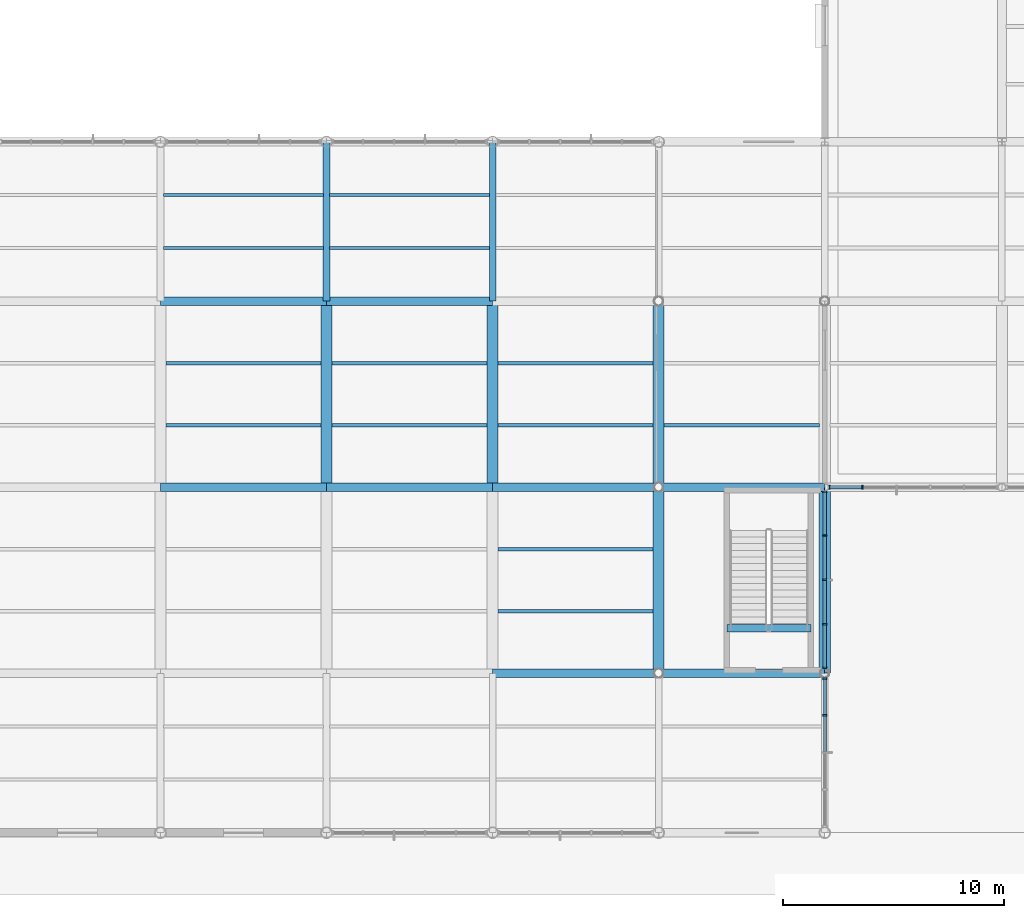
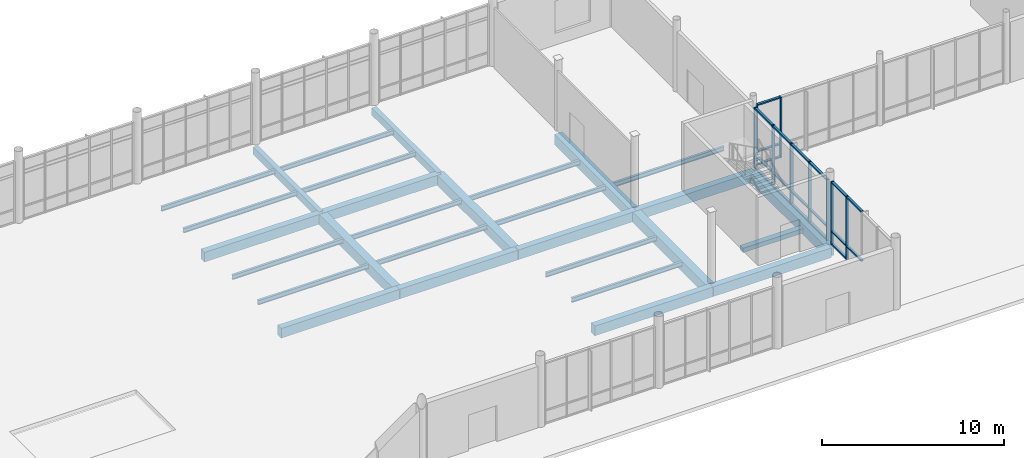
# One storey, part 18 of 82: 29 beams, 29 members, 3 elements without a shape of their own.
"""IFC4 building model written with IfcOpenShell, lengths in metres."""

from ifc_helpers import new_model, si_unit, direction, frame, origin, origin_2d, place, context, subcontext, project, spatial, rectangle, i_section, extrude, material, layer, layer_set, material_profile, profile_set, type_object, element, aggregate, save


model = new_model("IFC4")

# Units and contexts
model_context = context("Model", 3, precision=1e-05, world=origin(), true_north=direction((0.0, 1.0)))
body_context = subcontext(model_context, "Body", "Model", "MODEL_VIEW")
ifc_project = project(units=[si_unit("LENGTHUNIT", "METRE"), si_unit("AREAUNIT", "SQUARE_METRE"), si_unit("VOLUMEUNIT", "CUBIC_METRE"), si_unit("PLANEANGLEUNIT", "RADIAN"), si_unit("MASSUNIT", "GRAM", prefix="KILO")], contexts=[model_context])

# Site, building, storey
site_placement = place(None, origin())
site = spatial("IfcSite", under=ifc_project, at=site_placement, CompositionType="ELEMENT")
building_placement = place(site_placement, origin())
building = spatial("IfcBuilding", under=site, at=building_placement, Name="Yukiwa Park Conservatory and Herbarium", CompositionType="ELEMENT")
storey_placement = place(building_placement, origin())
storey = spatial("IfcBuildingStorey", under=building, at=storey_placement, Name="L00", CompositionType="ELEMENT", Elevation=0.0)

# Beams
ifc_material_1 = material(Name="Steel Q355D", Category="steel")
ifc_material_profile_1 = material_profile(ifc_material_1, i_section(OverallWidth=0.14892578125, OverallDepth=0.298095703125, WebThickness=0.005615234375, FlangeThickness=0.008056640625, FilletRadius=0.012939453125, at=origin_2d()), Name="HN 298x149x5.5x8")
ifc_profile_set_1 = profile_set([ifc_material_profile_1], Name="Steel Q355D")
beam_type_1 = type_object("IfcBeamType", Name="BM-JST-HN298", PredefinedType="JOIST", material=ifc_profile_set_1)
for number, where, z_axis, x_axis, name in (
    (1, (30.24609375, 18.39990234375, -0.408935546875), (1.0, 0.0, 0.0), (0.0, 1.0, 0.0), "L00 composite floor joist 41"),
    (2, (30.24609375, 21.199951171875, -0.408935546875), (1.0, 0.0, 0.0), (0.0, 1.0, 0.0), "L00 composite floor joist 42"),
):
    element("IfcBeam", number, at=place(storey_placement, frame(where, z_axis=z_axis, x_axis=x_axis)), inside=storey, type_object=beam_type_1, Name=name, PredefinedType="JOIST", context=body_context, shape_type="SweptSolid", body=[
        extrude(i_section(OverallWidth=0.14892578125, OverallDepth=0.298095703125, WebThickness=0.005615234375, FlangeThickness=0.008056640625, FilletRadius=0.012939453125, at=origin_2d()), origin(), (0.0, 0.0, 1.0), 7.0078125),
    ])
for number, where, z_axis, x_axis, name in (
    (3, (30.14599609375, 26.39990234375, -0.408935546875), (1.0, 0.0, 0.0), (0.0, 1.0, 0.0), "L00 composite floor joist 43"),
    (4, (30.14599609375, 28.800048828125, -0.408935546875), (1.0, 0.0, 0.0), (0.0, 1.0, 0.0), "L00 composite floor joist 44"),
):
    element("IfcBeam", number, at=place(storey_placement, frame(where, z_axis=z_axis, x_axis=x_axis)), inside=storey, type_object=beam_type_1, Name=name, PredefinedType="JOIST", context=body_context, shape_type="SweptSolid", body=[
        extrude(i_section(OverallWidth=0.14892578125, OverallDepth=0.298095703125, WebThickness=0.005615234375, FlangeThickness=0.008056640625, FilletRadius=0.012939453125, at=origin_2d()), origin(), (0.0, 0.0, 1.0), 7.2080078125),
    ])
for number, where, z_axis, x_axis, name in (
    (5, (37.74609375, 18.39990234375, -0.408935546875), (1.0, 0.0, 0.0), (0.0, 1.0, 0.0), "L00 composite floor joist 55"),
    (6, (37.74609375, 21.199951171875, -0.408935546875), (1.0, 0.0, 0.0), (0.0, 1.0, 0.0), "L00 composite floor joist 56"),
):
    element("IfcBeam", number, at=place(storey_placement, frame(where, z_axis=z_axis, x_axis=x_axis)), inside=storey, type_object=beam_type_1, Name=name, PredefinedType="JOIST", context=body_context, shape_type="SweptSolid", body=[
        extrude(i_section(OverallWidth=0.14892578125, OverallDepth=0.298095703125, WebThickness=0.005615234375, FlangeThickness=0.008056640625, FilletRadius=0.012939453125, at=origin_2d()), origin(), (0.0, 0.0, 1.0), 7.0078125),
    ])
for number, where, z_axis, x_axis, name in (
    (7, (37.64599609375, 26.39990234375, -0.408935546875), (1.0, 0.0, 0.0), (0.0, 1.0, 0.0), "L00 composite floor joist 57"),
    (8, (37.64599609375, 28.800048828125, -0.408935546875), (1.0, 0.0, 0.0), (0.0, 1.0, 0.0), "L00 composite floor joist 58"),
):
    element("IfcBeam", number, at=place(storey_placement, frame(where, z_axis=z_axis, x_axis=x_axis)), inside=storey, type_object=beam_type_1, Name=name, PredefinedType="JOIST", context=body_context, shape_type="SweptSolid", body=[
        extrude(i_section(OverallWidth=0.14892578125, OverallDepth=0.298095703125, WebThickness=0.005615234375, FlangeThickness=0.008056640625, FilletRadius=0.012939453125, at=origin_2d()), origin(), (0.0, 0.0, 1.0), 7.2080078125),
    ])
for number, where, z_axis, x_axis, name in (
    (9, (45.24609375, 10.0, -0.408935546875), (1.0, 0.0, 0.0), (0.0, 1.0, 0.0), "L00 composite floor joist 67"),
    (10, (45.24609375, 12.800048828125, -0.408935546875), (1.0, 0.0, 0.0), (0.0, 1.0, 0.0), "L00 composite floor joist 68"),
    (11, (45.24609375, 18.39990234375, -0.408935546875), (1.0, 0.0, 0.0), (0.0, 1.0, 0.0), "L00 composite floor joist 69"),
    (12, (45.24609375, 21.199951171875, -0.408935546875), (1.0, 0.0, 0.0), (0.0, 1.0, 0.0), "L00 composite floor joist 70"),
    (13, (52.74609375, 18.39990234375, -0.408935546875), (1.0, 0.0, 0.0), (0.0, 1.0, 0.0), "L00 composite floor joist 81"),
):
    element("IfcBeam", number, at=place(storey_placement, frame(where, z_axis=z_axis, x_axis=x_axis)), inside=storey, type_object=beam_type_1, Name=name, PredefinedType="JOIST", context=body_context, shape_type="SweptSolid", body=[
        extrude(i_section(OverallWidth=0.14892578125, OverallDepth=0.298095703125, WebThickness=0.005615234375, FlangeThickness=0.008056640625, FilletRadius=0.012939453125, at=origin_2d()), origin(), (0.0, 0.0, 1.0), 7.0078125),
    ])
ifc_material_2 = material(Name="Concrete C40", Category="concrete")
ifc_material_profile_2 = material_profile(ifc_material_2, rectangle(XDim=0.300048828125, YDim=0.5, at=origin_2d()), Name="RC 300x500")
ifc_profile_set_2 = profile_set([ifc_material_profile_2], Name="Concrete C40")
beam_type_2 = type_object("IfcBeamType", Name="BM-RC-300X500", PredefinedType="BEAM", material=ifc_profile_set_2)
for number, where, z_axis, x_axis, name in (
    (14, (37.5, 24.006103515625, -0.510009765625), (0.0, 1.0, 0.0), (-1.0, 0.0, 0.0), "L00 grid girder Y-188"),
    (15, (45.0, 24.006103515625, -0.510009765625), (0.0, 1.0, 0.0), (-1.0, 0.0, 0.0), "L00 grid girder Y-196"),
):
    element("IfcBeam", number, at=place(storey_placement, frame(where, z_axis=z_axis, x_axis=x_axis)), inside=storey, type_object=beam_type_2, Name=name, PredefinedType="BEAM", context=body_context, shape_type="SweptSolid", body=[
        extrude(rectangle(XDim=0.300048828125, YDim=0.5, at=origin_2d()), origin(), (0.0, 0.0, 1.0), 7.18798828125),
    ])
ifc_material_3 = material(Name="Concrete C40", Category="concrete")
ifc_material_profile_3 = material_profile(ifc_material_3, rectangle(XDim=0.39990234375, YDim=0.64990234375, at=origin_2d()), Name="RC 400x650")
ifc_profile_set_3 = profile_set([ifc_material_profile_3], Name="Concrete C40")
beam_type_3 = type_object("IfcBeamType", Name="BM-RC-400X650", PredefinedType="BEAM", material=ifc_profile_set_3)
for number, where, z_axis, x_axis, name in (
    (16, (45.006103515625, 7.199951171875, -0.5849609375), (1.0, 0.0, 0.0), (0.0, 1.0, 0.0), "L00 grid beam X-15"),
    (17, (52.506103515625, 7.199951171875, -0.5849609375), (1.0, 0.0, 0.0), (0.0, 1.0, 0.0), "L00 grid beam X-16"),
    (18, (30.006103515625, 15.60009765625, -0.5849609375), (1.0, 0.0, 0.0), (0.0, 1.0, 0.0), "L00 grid beam X-21"),
    (19, (37.506103515625, 15.60009765625, -0.5849609375), (1.0, 0.0, 0.0), (0.0, 1.0, 0.0), "L00 grid beam X-22"),
    (20, (45.006103515625, 15.60009765625, -0.5849609375), (1.0, 0.0, 0.0), (0.0, 1.0, 0.0), "L00 grid beam X-23"),
    (21, (52.506103515625, 15.60009765625, -0.5849609375), (1.0, 0.0, 0.0), (0.0, 1.0, 0.0), "L00 grid beam X-24"),
    (22, (30.006103515625, 24.0, -0.5849609375), (1.0, 0.0, 0.0), (0.0, 1.0, 0.0), "L00 grid beam X-35"),
    (23, (37.506103515625, 24.0, -0.5849609375), (1.0, 0.0, 0.0), (0.0, 1.0, 0.0), "L00 grid beam X-36"),
):
    element("IfcBeam", number, at=place(storey_placement, frame(where, z_axis=z_axis, x_axis=x_axis)), inside=storey, type_object=beam_type_3, Name=name, PredefinedType="BEAM", context=body_context, shape_type="SweptSolid", body=[
        extrude(rectangle(XDim=0.39990234375, YDim=0.64990234375, at=origin_2d()), origin(), (0.0, 0.0, 1.0), 7.48779296875),
    ])
ifc_material_4 = material(Name="Concrete C40", Category="concrete")
ifc_material_profile_4 = material_profile(ifc_material_4, rectangle(XDim=0.5, YDim=0.699951171875, at=origin_2d()), Name="RC 500x700")
ifc_profile_set_4 = profile_set([ifc_material_profile_4], Name="Concrete C40")
beam_type_4 = type_object("IfcBeamType", Name="BM-RC-500X700", PredefinedType="BEAM", material=ifc_profile_set_4)
for number, where, z_axis, x_axis, name in (
    (24, (37.5, 15.60595703125, -0.610107421875), (0.0, 1.0, 0.0), (-1.0, 0.0, 0.0), "L00 grid girder Y-187"),
    (25, (45.0, 15.60595703125, -0.610107421875), (0.0, 1.0, 0.0), (-1.0, 0.0, 0.0), "L00 grid girder Y-195"),
    (26, (52.5, 7.2060546875, -0.610107421875), (0.0, 1.0, 0.0), (-1.0, 0.0, 0.0), "L00 grid girder Y-202"),
    (27, (52.5, 15.60595703125, -0.610107421875), (0.0, 1.0, 0.0), (-1.0, 0.0, 0.0), "L00 grid girder Y-203"),
    (28, (60.0, 7.2060546875, -0.610107421875), (0.0, 1.0, 0.0), (-1.0, 0.0, 0.0), "L00 grid girder Y-210"),
):
    element("IfcBeam", number, at=place(storey_placement, frame(where, z_axis=z_axis, x_axis=x_axis)), inside=storey, type_object=beam_type_4, Name=name, PredefinedType="BEAM", context=body_context, shape_type="SweptSolid", body=[
        extrude(rectangle(XDim=0.5, YDim=0.699951171875, at=origin_2d()), origin(), (0.0, 0.0, 1.0), 8.387939453125),
    ])
ifc_material_5 = material(Name="Concrete C40", Category="concrete")
ifc_material_profile_5 = material_profile(ifc_material_5, rectangle(XDim=0.35009765625, YDim=0.300048828125, at=origin_2d()), Name="RC 350x300")
ifc_profile_set_5 = profile_set([ifc_material_profile_5], Name="Concrete C40")
beam_type_5 = type_object("IfcBeamType", Name="BM-STAIR-TRIM", PredefinedType="BEAM", material=ifc_profile_set_5)
beam_placement = place(storey_placement, frame((55.580078125, 9.22998046875, -0.14990234375), z_axis=(1.0, 0.0, 0.0), x_axis=(0.0, 1.0, 0.0)))
element("IfcBeam", 29, at=beam_placement, inside=storey, type_object=beam_type_5, Name="Stair ST-C2 L00 landing trimmer beam", PredefinedType="BEAM", context=body_context, shape_type="SweptSolid", body=[
    extrude(rectangle(XDim=0.35009765625, YDim=0.300048828125, at=origin_2d()), origin(), (0.0, 0.0, 1.0), 3.7900390625),
])

# Curtain wall, members
ifc_material_6 = material(Name="Triple Low-E Insulated Glass", Category="glass")
ifc_layer_1 = layer(ifc_material_6, 0.1640625)
ifc_layer_set_1 = layer_set([ifc_layer_1], Name="Triple Low-E Insulated Glass")
curtain_wall_type_1 = type_object("IfcCurtainWallType", Name="CW-CONSERVATORY-1875", PredefinedType="NOTDEFINED", material=ifc_layer_set_1)
curtain_wall_1_placement = place(storey_placement, origin())
curtain_wall_1 = element("IfcCurtainWall", 30, at=curtain_wall_1_placement, inside=storey, type_object=curtain_wall_type_1, Name="L00 unitised curtain wall CW-L00-005", PredefinedType="NOTDEFINED")
ifc_material_7 = material(Name="Anodised Aluminium", Category="aluminium")
member_type_1 = type_object("IfcMemberType", Name="MB-CW-MUL-80X180", PredefinedType="MULLION", material=ifc_material_7)
member_1_placement = place(storey_placement, frame((60.0, 5.3037109375, 0.0), z_axis=(0.0, 0.0, 1.0), x_axis=(0.0, 1.0, 0.0)))
member_1 = element("IfcMember", 31, at=member_1_placement, type_object=member_type_1, Name="CW-L00-005 mullion 4", PredefinedType="MULLION", context=body_context, shape_type="SweptSolid", body=[
    extrude(rectangle(XDim=0.080078125, YDim=0.179931640625, at=origin_2d()), origin(), (0.0, 0.0, 1.0), 4.219970703125),
])
member_2_placement = place(storey_placement, frame((60.0, 6.947021484375, 0.0), z_axis=(0.0, 0.0, 1.0), x_axis=(0.0, 1.0, 0.0)))
member_2 = element("IfcMember", 32, at=member_2_placement, type_object=member_type_1, Name="CW-L00-005 mullion 5", PredefinedType="MULLION", context=body_context, shape_type="SweptSolid", body=[
    extrude(rectangle(XDim=0.080078125, YDim=0.179931640625, at=origin_2d()), origin(), (0.0, 0.0, 1.0), 4.219970703125),
])

curtain_wall_2_placement = place(storey_placement, origin())
curtain_wall_2 = element("IfcCurtainWall", 33, at=curtain_wall_2_placement, inside=storey, type_object=curtain_wall_type_1, Name="L00 unitised curtain wall CW-L00-006", PredefinedType="NOTDEFINED")
member_3_placement = place(storey_placement, frame((60.0, 7.452880859375, 0.0), z_axis=(0.0, 0.0, 1.0), x_axis=(0.0, 1.0, 0.0)))
member_3 = element("IfcMember", 34, at=member_3_placement, type_object=member_type_1, Name="CW-L00-006 mullion 1", PredefinedType="MULLION", context=body_context, shape_type="SweptSolid", body=[
    extrude(rectangle(XDim=0.080078125, YDim=0.179931640625, at=origin_2d()), origin(), (0.0, 0.0, 1.0), 4.06005859375),
])
member_4_placement = place(storey_placement, frame((60.0, 9.415283203125, 0.0), z_axis=(0.0, 0.0, 1.0), x_axis=(0.0, 1.0, 0.0)))
member_4 = element("IfcMember", 35, at=member_4_placement, type_object=member_type_1, Name="CW-L00-006 mullion 2", PredefinedType="MULLION", context=body_context, shape_type="SweptSolid", body=[
    extrude(rectangle(XDim=0.080078125, YDim=0.179931640625, at=origin_2d()), origin(), (0.0, 0.0, 1.0), 4.06005859375),
])
member_5_placement = place(storey_placement, frame((60.0, 11.41748046875, 0.0), z_axis=(0.0, 0.0, 1.0), x_axis=(0.0, 1.0, 0.0)))
member_5 = element("IfcMember", 36, at=member_5_placement, type_object=member_type_1, Name="CW-L00-006 mullion 3", PredefinedType="MULLION", context=body_context, shape_type="SweptSolid", body=[
    extrude(rectangle(XDim=0.080078125, YDim=0.179931640625, at=origin_2d()), origin(), (0.0, 0.0, 1.0), 4.06005859375),
])
member_6_placement = place(storey_placement, frame((60.0, 13.419921875, 0.0), z_axis=(0.0, 0.0, 1.0), x_axis=(0.0, 1.0, 0.0)))
member_6 = element("IfcMember", 37, at=member_6_placement, type_object=member_type_1, Name="CW-L00-006 mullion 4", PredefinedType="MULLION", context=body_context, shape_type="SweptSolid", body=[
    extrude(rectangle(XDim=0.080078125, YDim=0.179931640625, at=origin_2d()), origin(), (0.0, 0.0, 1.0), 4.06005859375),
])
member_7_placement = place(storey_placement, frame((60.0, 15.382080078125, 0.0), z_axis=(0.0, 0.0, 1.0), x_axis=(0.0, 1.0, 0.0)))
member_7 = element("IfcMember", 38, at=member_7_placement, type_object=member_type_1, Name="CW-L00-006 mullion 5", PredefinedType="MULLION", context=body_context, shape_type="SweptSolid", body=[
    extrude(rectangle(XDim=0.080078125, YDim=0.179931640625, at=origin_2d()), origin(), (0.0, 0.0, 1.0), 4.06005859375),
])

ifc_material_8 = material(Name="Triple Low-E Insulated Glass", Category="glass")
ifc_layer_2 = layer(ifc_material_8, 0.176025390625)
ifc_layer_set_2 = layer_set([ifc_layer_2], Name="Triple Low-E Insulated Glass")
curtain_wall_type_2 = type_object("IfcCurtainWallType", Name="CW-CONCOURSE-1600", PredefinedType="NOTDEFINED", material=ifc_layer_set_2)
curtain_wall_3_placement = place(storey_placement, origin())
curtain_wall_3 = element("IfcCurtainWall", 39, at=curtain_wall_3_placement, inside=storey, type_object=curtain_wall_type_2, Name="L00 unitised curtain wall CW-L00-007", PredefinedType="NOTDEFINED")
member_8_placement = place(storey_placement, frame((60.2177734375, 15.60009765625, 0.0), z_axis=(0.0, 0.0, 1.0), x_axis=(1.0, 0.0, 0.0)))
member_8 = element("IfcMember", 40, at=member_8_placement, type_object=member_type_1, Name="CW-L00-007 mullion 1", PredefinedType="MULLION", context=body_context, shape_type="SweptSolid", body=[
    extrude(rectangle(XDim=0.080078125, YDim=0.179931640625, at=origin_2d()), origin(), (0.0, 0.0, 1.0), 4.06005859375),
])
member_9_placement = place(storey_placement, frame((61.706787109375, 15.60009765625, 0.0), z_axis=(0.0, 0.0, 1.0), x_axis=(1.0, 0.0, 0.0)))
member_9 = element("IfcMember", 41, at=member_9_placement, type_object=member_type_1, Name="CW-L00-007 mullion 2", PredefinedType="MULLION", context=body_context, shape_type="SweptSolid", body=[
    extrude(rectangle(XDim=0.080078125, YDim=0.179931640625, at=origin_2d()), origin(), (0.0, 0.0, 1.0), 4.06005859375),
])

# Member
ifc_material_9 = material(Name="Anodised Aluminium", Category="aluminium")
member_type_2 = type_object("IfcMemberType", Name="MB-CW-TRN-80X150", PredefinedType="USERDEFINED", material=ifc_material_9)
member_10_placement = place(storey_placement, frame((60.0, 4.462158203125, 0.85986328125), z_axis=(0.0, 0.0, 1.0), x_axis=(0.0, 1.0, 0.0)))
member_10 = element("IfcMember", 42, at=member_10_placement, type_object=member_type_2, Name="CW-L00-005 transom 3.2", ObjectType="TRANSOM", PredefinedType="USERDEFINED", context=body_context, shape_type="SweptSolid", body=[
    extrude(rectangle(XDim=1.603271484375, YDim=0.14990234375, at=origin_2d()), origin(), (0.0, 0.0, 1.0), 0.080078125),
])

member_11_placement = place(storey_placement, frame((60.0, 4.462158203125, 4.139892578125), z_axis=(0.0, 0.0, 1.0), x_axis=(0.0, 1.0, 0.0)))
member_11 = element("IfcMember", 43, at=member_11_placement, type_object=member_type_2, Name="CW-L00-005 transom 3.3", ObjectType="TRANSOM", PredefinedType="USERDEFINED", context=body_context, shape_type="SweptSolid", body=[
    extrude(rectangle(XDim=1.603271484375, YDim=0.14990234375, at=origin_2d()), origin(), (0.0, 0.0, 1.0), 0.080078125),
])

member_12_placement = place(storey_placement, frame((60.0, 6.1455078125, 0.0), z_axis=(0.0, 0.0, 1.0), x_axis=(0.0, 1.0, 0.0)))
member_12 = element("IfcMember", 44, at=member_12_placement, type_object=member_type_2, Name="CW-L00-005 transom 4.1", ObjectType="TRANSOM", PredefinedType="USERDEFINED", context=body_context, shape_type="SweptSolid", body=[
    extrude(rectangle(XDim=1.603271484375, YDim=0.14990234375, at=origin_2d()), origin(), (0.0, 0.0, 1.0), 0.080078125),
])

member_13_placement = place(storey_placement, frame((60.0, 6.1455078125, 0.85986328125), z_axis=(0.0, 0.0, 1.0), x_axis=(0.0, 1.0, 0.0)))
member_13 = element("IfcMember", 45, at=member_13_placement, type_object=member_type_2, Name="CW-L00-005 transom 4.2", ObjectType="TRANSOM", PredefinedType="USERDEFINED", context=body_context, shape_type="SweptSolid", body=[
    extrude(rectangle(XDim=1.603271484375, YDim=0.14990234375, at=origin_2d()), origin(), (0.0, 0.0, 1.0), 0.080078125),
])

member_14_placement = place(storey_placement, frame((60.0, 6.1455078125, 4.139892578125), z_axis=(0.0, 0.0, 1.0), x_axis=(0.0, 1.0, 0.0)))
member_14 = element("IfcMember", 46, at=member_14_placement, type_object=member_type_2, Name="CW-L00-005 transom 4.3", ObjectType="TRANSOM", PredefinedType="USERDEFINED", context=body_context, shape_type="SweptSolid", body=[
    extrude(rectangle(XDim=1.603271484375, YDim=0.14990234375, at=origin_2d()), origin(), (0.0, 0.0, 1.0), 0.080078125),
])

aggregate(curtain_wall_1, [member_1, member_2, member_10, member_11, member_12, member_13, member_14])

member_15_placement = place(storey_placement, frame((60.0, 8.4140625, 0.0), z_axis=(0.0, 0.0, 1.0), x_axis=(0.0, 1.0, 0.0)))
member_15 = element("IfcMember", 47, at=member_15_placement, type_object=member_type_2, Name="CW-L00-006 transom 1.1", ObjectType="TRANSOM", PredefinedType="USERDEFINED", context=body_context, shape_type="SweptSolid", body=[
    extrude(rectangle(XDim=1.92236328125, YDim=0.14990234375, at=origin_2d()), origin(), (0.0, 0.0, 1.0), 0.080078125),
])

member_16_placement = place(storey_placement, frame((60.0, 8.4140625, 0.85986328125), z_axis=(0.0, 0.0, 1.0), x_axis=(0.0, 1.0, 0.0)))
member_16 = element("IfcMember", 48, at=member_16_placement, type_object=member_type_2, Name="CW-L00-006 transom 1.2", ObjectType="TRANSOM", PredefinedType="USERDEFINED", context=body_context, shape_type="SweptSolid", body=[
    extrude(rectangle(XDim=1.92236328125, YDim=0.14990234375, at=origin_2d()), origin(), (0.0, 0.0, 1.0), 0.080078125),
])

member_17_placement = place(storey_placement, frame((60.0, 8.4140625, 3.97998046875), z_axis=(0.0, 0.0, 1.0), x_axis=(0.0, 1.0, 0.0)))
member_17 = element("IfcMember", 49, at=member_17_placement, type_object=member_type_2, Name="CW-L00-006 transom 1.3", ObjectType="TRANSOM", PredefinedType="USERDEFINED", context=body_context, shape_type="SweptSolid", body=[
    extrude(rectangle(XDim=1.92236328125, YDim=0.14990234375, at=origin_2d()), origin(), (0.0, 0.0, 1.0), 0.080078125),
])

member_18_placement = place(storey_placement, frame((60.0, 10.41650390625, 0.0), z_axis=(0.0, 0.0, 1.0), x_axis=(0.0, 1.0, 0.0)))
member_18 = element("IfcMember", 50, at=member_18_placement, type_object=member_type_2, Name="CW-L00-006 transom 2.1", ObjectType="TRANSOM", PredefinedType="USERDEFINED", context=body_context, shape_type="SweptSolid", body=[
    extrude(rectangle(XDim=1.92236328125, YDim=0.14990234375, at=origin_2d()), origin(), (0.0, 0.0, 1.0), 0.080078125),
])

member_19_placement = place(storey_placement, frame((60.0, 10.41650390625, 0.85986328125), z_axis=(0.0, 0.0, 1.0), x_axis=(0.0, 1.0, 0.0)))
member_19 = element("IfcMember", 51, at=member_19_placement, type_object=member_type_2, Name="CW-L00-006 transom 2.2", ObjectType="TRANSOM", PredefinedType="USERDEFINED", context=body_context, shape_type="SweptSolid", body=[
    extrude(rectangle(XDim=1.92236328125, YDim=0.14990234375, at=origin_2d()), origin(), (0.0, 0.0, 1.0), 0.080078125),
])

member_20_placement = place(storey_placement, frame((60.0, 10.41650390625, 3.97998046875), z_axis=(0.0, 0.0, 1.0), x_axis=(0.0, 1.0, 0.0)))
member_20 = element("IfcMember", 52, at=member_20_placement, type_object=member_type_2, Name="CW-L00-006 transom 2.3", ObjectType="TRANSOM", PredefinedType="USERDEFINED", context=body_context, shape_type="SweptSolid", body=[
    extrude(rectangle(XDim=1.92236328125, YDim=0.14990234375, at=origin_2d()), origin(), (0.0, 0.0, 1.0), 0.080078125),
])

member_21_placement = place(storey_placement, frame((60.0, 12.418701171875, 0.0), z_axis=(0.0, 0.0, 1.0), x_axis=(0.0, 1.0, 0.0)))
member_21 = element("IfcMember", 53, at=member_21_placement, type_object=member_type_2, Name="CW-L00-006 transom 3.1", ObjectType="TRANSOM", PredefinedType="USERDEFINED", context=body_context, shape_type="SweptSolid", body=[
    extrude(rectangle(XDim=1.92236328125, YDim=0.14990234375, at=origin_2d()), origin(), (0.0, 0.0, 1.0), 0.080078125),
])

member_22_placement = place(storey_placement, frame((60.0, 12.418701171875, 0.85986328125), z_axis=(0.0, 0.0, 1.0), x_axis=(0.0, 1.0, 0.0)))
member_22 = element("IfcMember", 54, at=member_22_placement, type_object=member_type_2, Name="CW-L00-006 transom 3.2", ObjectType="TRANSOM", PredefinedType="USERDEFINED", context=body_context, shape_type="SweptSolid", body=[
    extrude(rectangle(XDim=1.92236328125, YDim=0.14990234375, at=origin_2d()), origin(), (0.0, 0.0, 1.0), 0.080078125),
])

member_23_placement = place(storey_placement, frame((60.0, 12.418701171875, 3.97998046875), z_axis=(0.0, 0.0, 1.0), x_axis=(0.0, 1.0, 0.0)))
member_23 = element("IfcMember", 55, at=member_23_placement, type_object=member_type_2, Name="CW-L00-006 transom 3.3", ObjectType="TRANSOM", PredefinedType="USERDEFINED", context=body_context, shape_type="SweptSolid", body=[
    extrude(rectangle(XDim=1.92236328125, YDim=0.14990234375, at=origin_2d()), origin(), (0.0, 0.0, 1.0), 0.080078125),
])

member_24_placement = place(storey_placement, frame((60.0, 14.421142578125, 0.0), z_axis=(0.0, 0.0, 1.0), x_axis=(0.0, 1.0, 0.0)))
member_24 = element("IfcMember", 56, at=member_24_placement, type_object=member_type_2, Name="CW-L00-006 transom 4.1", ObjectType="TRANSOM", PredefinedType="USERDEFINED", context=body_context, shape_type="SweptSolid", body=[
    extrude(rectangle(XDim=1.92236328125, YDim=0.14990234375, at=origin_2d()), origin(), (0.0, 0.0, 1.0), 0.080078125),
])

member_25_placement = place(storey_placement, frame((60.0, 14.421142578125, 0.85986328125), z_axis=(0.0, 0.0, 1.0), x_axis=(0.0, 1.0, 0.0)))
member_25 = element("IfcMember", 57, at=member_25_placement, type_object=member_type_2, Name="CW-L00-006 transom 4.2", ObjectType="TRANSOM", PredefinedType="USERDEFINED", context=body_context, shape_type="SweptSolid", body=[
    extrude(rectangle(XDim=1.92236328125, YDim=0.14990234375, at=origin_2d()), origin(), (0.0, 0.0, 1.0), 0.080078125),
])

member_26_placement = place(storey_placement, frame((60.0, 14.421142578125, 3.97998046875), z_axis=(0.0, 0.0, 1.0), x_axis=(0.0, 1.0, 0.0)))
member_26 = element("IfcMember", 58, at=member_26_placement, type_object=member_type_2, Name="CW-L00-006 transom 4.3", ObjectType="TRANSOM", PredefinedType="USERDEFINED", context=body_context, shape_type="SweptSolid", body=[
    extrude(rectangle(XDim=1.92236328125, YDim=0.14990234375, at=origin_2d()), origin(), (0.0, 0.0, 1.0), 0.080078125),
])

aggregate(curtain_wall_2, [member_3, member_4, member_5, member_6, member_7, member_15, member_16, member_17, member_18, member_19, member_20, member_21, member_22, member_23, member_24, member_25, member_26])

member_27_placement = place(storey_placement, frame((60.942138671875, 15.60009765625, 0.0), z_axis=(0.0, 0.0, 1.0), x_axis=(1.0, 0.0, 0.0)))
member_27 = element("IfcMember", 59, at=member_27_placement, type_object=member_type_2, Name="CW-L00-007 transom 1.1", ObjectType="TRANSOM", PredefinedType="USERDEFINED", context=body_context, shape_type="SweptSolid", body=[
    extrude(rectangle(XDim=1.448974609375, YDim=0.14990234375, at=origin_2d()), origin(), (0.0, 0.0, 1.0), 0.080078125),
])

member_28_placement = place(storey_placement, frame((60.942138671875, 15.60009765625, 0.85986328125), z_axis=(0.0, 0.0, 1.0), x_axis=(1.0, 0.0, 0.0)))
member_28 = element("IfcMember", 60, at=member_28_placement, type_object=member_type_2, Name="CW-L00-007 transom 1.2", ObjectType="TRANSOM", PredefinedType="USERDEFINED", context=body_context, shape_type="SweptSolid", body=[
    extrude(rectangle(XDim=1.448974609375, YDim=0.14990234375, at=origin_2d()), origin(), (0.0, 0.0, 1.0), 0.080078125),
])

member_29_placement = place(storey_placement, frame((60.942138671875, 15.60009765625, 3.97998046875), z_axis=(0.0, 0.0, 1.0), x_axis=(1.0, 0.0, 0.0)))
member_29 = element("IfcMember", 61, at=member_29_placement, type_object=member_type_2, Name="CW-L00-007 transom 1.3", ObjectType="TRANSOM", PredefinedType="USERDEFINED", context=body_context, shape_type="SweptSolid", body=[
    extrude(rectangle(XDim=1.448974609375, YDim=0.14990234375, at=origin_2d()), origin(), (0.0, 0.0, 1.0), 0.080078125),
])

aggregate(curtain_wall_3, [member_8, member_9, member_27, member_28, member_29])

save(model, "model.ifc")
